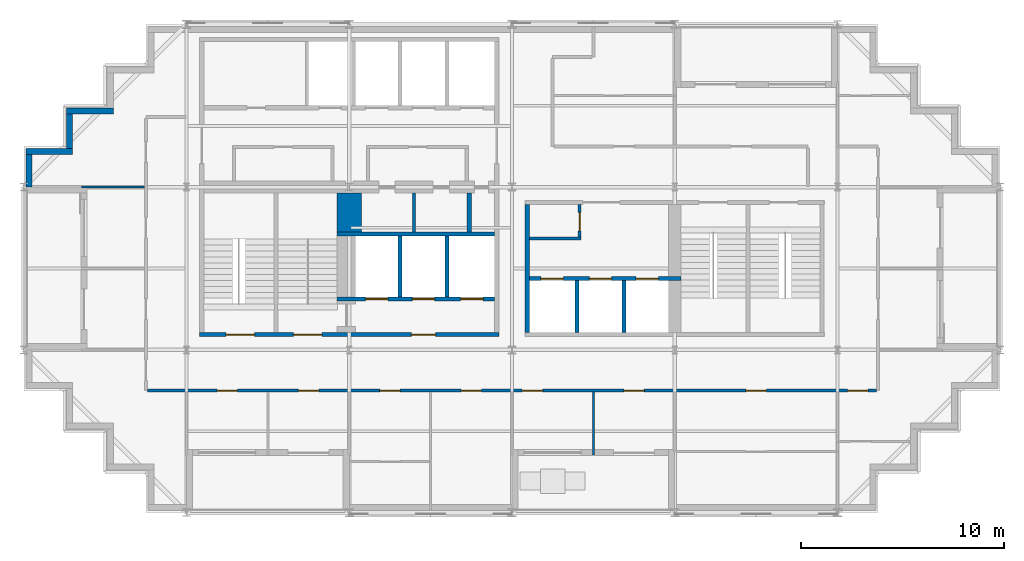
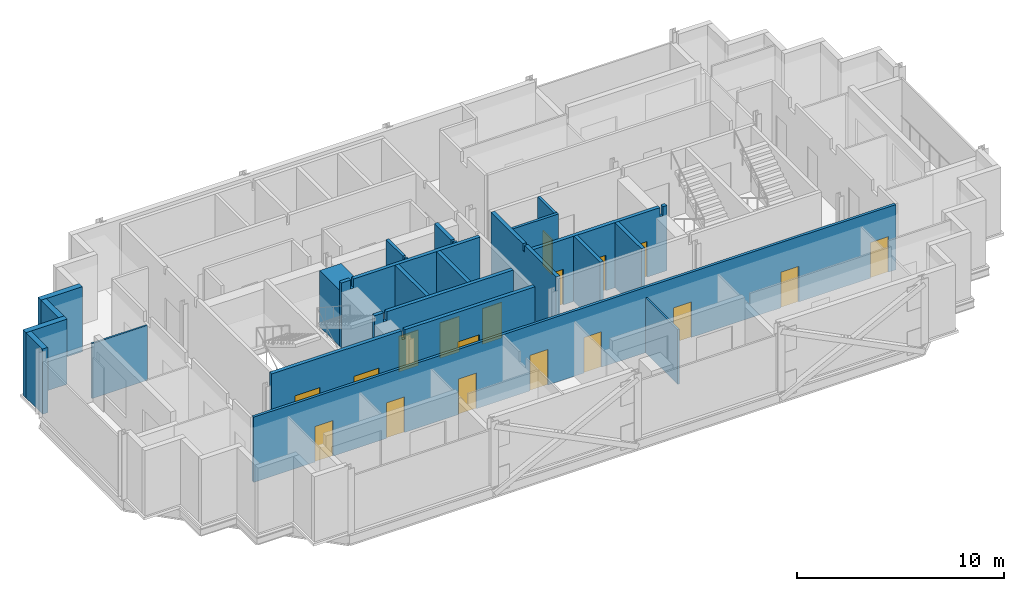
# One storey, part 5 of 10: 21 walls, 18 doors, 18 openings.
"""IFC4 building model written with IfcOpenShell, lengths in metres."""

from ifc_helpers import new_model, si_unit, direction, frame, frame_2d, origin, place, context, subcontext, project, spatial, polyline, rectangle, outline, extrude, material, layer, layer_set, type_object, element, fill, save


model = new_model("IFC4")

# Units and contexts
model_context = context("Model", 3, precision=1e-05, world=origin(), true_north=direction((0.0, 1.0)))
body_context = subcontext(model_context, "Body", "Model", "MODEL_VIEW")
ifc_project = project(units=[si_unit("LENGTHUNIT", "METRE"), si_unit("AREAUNIT", "SQUARE_METRE"), si_unit("VOLUMEUNIT", "CUBIC_METRE"), si_unit("PLANEANGLEUNIT", "RADIAN"), si_unit("MASSUNIT", "GRAM", prefix="KILO")], contexts=[model_context])

# Site, building, storey
site_placement = place(None, origin())
site = spatial("IfcSite", under=ifc_project, at=site_placement, CompositionType="ELEMENT")
building_placement = place(site_placement, origin())
building = spatial("IfcBuilding", under=site, at=building_placement, Name="Immortelle Media Tower", CompositionType="ELEMENT")
storey_placement = place(building_placement, frame((0.0, 0.0, 283.0)))
storey = spatial("IfcBuildingStorey", under=building, at=storey_placement, Name="L62", CompositionType="ELEMENT", Elevation=283.0)

# Walls
ifc_material_1 = material(Name="Fire-rated gypsum board", Category="gypsum")
ifc_layer_1 = layer(ifc_material_1, 0.02490234375)
ifc_material_2 = material(Name="Steel ASTM A653 SS Gr 50 stud frame with mineral wool", Category="steel")
ifc_layer_2 = layer(ifc_material_2, 0.10009765625)
ifc_layer_3 = layer(ifc_material_1, 0.02490234375)
ifc_layer_set_1 = layer_set([ifc_layer_1, ifc_layer_2, ifc_layer_3], Name="Steel ASTM A653 SS Gr 50 stud frame with mineral wool")
wall_type_1 = type_object("IfcWallType", Name="Core partition 150", PredefinedType="PARTITIONING", material=ifc_layer_set_1)
wall_1_placement = place(storey_placement, frame((19.175048828125, 13.800048828125, 0.0), z_axis=(0.0, 0.0, 1.0), x_axis=(0.0, 1.0, 0.0)))
element("IfcWall", 1, at=wall_1_placement, inside=storey, type_object=wall_type_1, Name="Core partition SW", PredefinedType="PARTITIONING", context=body_context, shape_type="SweptSolid", body=[
    extrude(outline(polyline([(0.0, 0.0), (1.89990234375, 0.0), (1.89990234375, 3.85009765625), (0.27490234375, 3.85009765625), (0.27392578125, 3.43994140625), (0.1259765625, 3.43994140625), (0.125, 3.85009765625), (0.0, 3.85009765625), (0.0, 0.0)])), frame((0.0, 0.074951171875, 0.0), z_axis=(0.0, -1.0, 0.0), x_axis=(1.0, 0.0, 0.0)), (0.0, 0.0, 1.0), 0.14990234375),
])
wall_2_placement = place(storey_placement, frame((24.85009765625, 13.47509765625, 0.0), z_axis=(0.0, 0.0, 1.0), x_axis=(1.0, 0.0, 0.0)))
element("IfcWall", 2, at=wall_2_placement, inside=storey, type_object=wall_type_1, Name="Core partition SE", PredefinedType="PARTITIONING", context=body_context, shape_type="SweptSolid", body=[
    extrude(rectangle(XDim=2.5498046875, YDim=0.14990234375, at=frame_2d((1.27490234375, 0.0))), origin(), (0.0, 0.0, 1.0), 3.85009765625),
])

# Wall, opening, door
wall_3_placement = place(storey_placement, frame((27.324951171875, 13.550048828125, 0.0), z_axis=(0.0, 0.0, 1.0), x_axis=(0.0, 1.0, 0.0)))
wall_3 = element("IfcWall", 3, at=wall_3_placement, inside=storey, type_object=wall_type_1, Name="Core partition SE", PredefinedType="PARTITIONING", context=body_context, shape_type="SweptSolid", body=[
    extrude(rectangle(XDim=1.599853515625, YDim=0.14990234375, at=frame_2d((0.7998046875, 0.0))), origin(), (0.0, 0.0, 1.0), 3.85009765625),
])
opening_1_placement = place(wall_3_placement, frame((0.300048828125, 0.0, 0.0)))
opening_1 = element("IfcOpeningElement", 4, at=opening_1_placement, cuts=wall_3, Name="Opening X5-K021", PredefinedType="OPENING", context=body_context, shape_type="SweptSolid", body=[
    extrude(rectangle(XDim=0.89990234375, YDim=2.10009765625, at=frame_2d((0.449951171875, 1.050048828125))), frame((0.0, 0.0849609375, 0.0), z_axis=(0.0, -1.0, 0.0), x_axis=(1.0, 0.0, 0.0)), (0.0, 0.0, 1.0), 0.169921875),
])
ifc_material_3 = material(Name="Galvanised steel door leaf and frame ASTM A653", Category="steel")
door_type_1 = type_object("IfcDoorType", Name="Service door 900 x 2100", OperationType="NOTDEFINED", PredefinedType="NOTDEFINED", material=ifc_material_3)
door_1_placement = place(opening_1_placement, origin())
door_1 = element("IfcDoor", 5, at=door_1_placement, inside=storey, type_object=door_type_1, Name="Service X5-K021", OperationType="SINGLE_SWING_RIGHT", OverallHeight=2.10009765625, OverallWidth=0.89990234375, PredefinedType="NOTDEFINED", context=body_context, shape_type="SweptSolid", body=[
    extrude(rectangle(XDim=0.89990234375, YDim=2.10009765625, at=frame_2d((0.449951171875, 1.050048828125))), frame((0.0, 0.02490234375, 0.0), z_axis=(0.0, -1.0, 0.0), x_axis=(1.0, 0.0, 0.0)), (0.0, 0.0, 1.0), 0.050048828125),
])
fill(opening_1, door_1)

# Wall, openings, doors
ifc_layer_4 = layer(ifc_material_1, 0.03759765625)
ifc_layer_5 = layer(ifc_material_2, 0.125)
ifc_layer_6 = layer(ifc_material_1, 0.03759765625)
ifc_layer_set_2 = layer_set([ifc_layer_4, ifc_layer_5, ifc_layer_6], Name="Steel ASTM A653 SS Gr 50 stud frame with mineral wool")
wall_type_2 = type_object("IfcWallType", Name="Core shaft wall 200", PredefinedType="PARTITIONING", material=ifc_layer_set_2)
wall_4_placement = place(storey_placement, frame((15.39990234375, 10.5, 0.0), z_axis=(0.0, 0.0, 1.0), x_axis=(1.0, 0.0, 0.0)))
wall_4 = element("IfcWall", 6, at=wall_4_placement, inside=storey, type_object=wall_type_2, Name="Core shaft wall SW", PredefinedType="PARTITIONING", context=body_context, shape_type="SweptSolid", body=[
    extrude(outline(polyline([(0.0, 0.0), (7.75, 0.0), (7.75, 3.85009765625), (0.6875, 3.85009765625), (0.6865234375, 3.318115234375), (0.513427734375, 3.318115234375), (0.512451171875, 3.85009765625), (0.0, 3.85009765625), (0.0, 0.0)])), frame((0.0, 0.10009765625, 0.0), z_axis=(0.0, -1.0, 0.0), x_axis=(1.0, 0.0, 0.0)), (0.0, 0.0, 1.0), 0.199951171875),
])
opening_2_placement = place(wall_4_placement, frame((1.39990234375, 0.0, 0.0)))
opening_2 = element("IfcOpeningElement", 7, at=opening_2_placement, cuts=wall_4, Name="Opening LD", PredefinedType="OPENING", context=body_context, shape_type="SweptSolid", body=[
    extrude(rectangle(XDim=1.10009765625, YDim=2.10009765625, at=frame_2d((0.550048828125, 1.050048828125))), frame((0.0, 0.10986328125, 0.0), z_axis=(0.0, -1.0, 0.0), x_axis=(1.0, 0.0, 0.0)), (0.0, 0.0, 1.0), 0.219970703125),
])
opening_3_placement = place(wall_4_placement, frame((3.699951171875, 0.0, 0.0)))
opening_3 = element("IfcOpeningElement", 8, at=opening_3_placement, cuts=wall_4, Name="Opening LD", PredefinedType="OPENING", context=body_context, shape_type="SweptSolid", body=[
    extrude(rectangle(XDim=1.10009765625, YDim=2.10009765625, at=frame_2d((0.550048828125, 1.050048828125))), frame((0.0, 0.10986328125, 0.0), z_axis=(0.0, -1.0, 0.0), x_axis=(1.0, 0.0, 0.0)), (0.0, 0.0, 1.0), 0.219970703125),
])
opening_4_placement = place(wall_4_placement, frame((6.074951171875, 0.0, 0.0)))
opening_4 = element("IfcOpeningElement", 9, at=opening_4_placement, cuts=wall_4, Name="Opening LD", PredefinedType="OPENING", context=body_context, shape_type="SweptSolid", body=[
    extrude(rectangle(XDim=1.10009765625, YDim=2.10009765625, at=frame_2d((0.550048828125, 1.050048828125))), frame((0.0, 0.10986328125, 0.0), z_axis=(0.0, -1.0, 0.0), x_axis=(1.0, 0.0, 0.0)), (0.0, 0.0, 1.0), 0.219970703125),
])
ifc_material_4 = material(Name="Stainless steel AISI 304", Category="steel")
door_type_2 = type_object("IfcDoorType", Name="Landing door 1100 x 2100", OperationType="SLIDING_TO_LEFT", PredefinedType="NOTDEFINED", material=ifc_material_4)
door_2_placement = place(opening_2_placement, origin())
door_2 = element("IfcDoor", 10, at=door_2_placement, inside=storey, type_object=door_type_2, Name="Landing door FF1 L62", OperationType="SLIDING_TO_LEFT", OverallHeight=2.10009765625, OverallWidth=1.10009765625, PredefinedType="NOTDEFINED", context=body_context, shape_type="SweptSolid", body=[
    extrude(rectangle(XDim=1.10009765625, YDim=2.10009765625, at=frame_2d((0.550048828125, 1.050048828125))), frame((0.0, 0.02490234375, 0.0), z_axis=(0.0, -1.0, 0.0), x_axis=(1.0, 0.0, 0.0)), (0.0, 0.0, 1.0), 0.050048828125),
])
fill(opening_2, door_2)
door_3_placement = place(opening_3_placement, origin())
door_3 = element("IfcDoor", 11, at=door_3_placement, inside=storey, type_object=door_type_2, Name="Landing door FF2 L62", OperationType="SLIDING_TO_LEFT", OverallHeight=2.10009765625, OverallWidth=1.10009765625, PredefinedType="NOTDEFINED", context=body_context, shape_type="SweptSolid", body=[
    extrude(rectangle(XDim=1.10009765625, YDim=2.10009765625, at=frame_2d((0.550048828125, 1.050048828125))), frame((0.0, 0.02490234375, 0.0), z_axis=(0.0, -1.0, 0.0), x_axis=(1.0, 0.0, 0.0)), (0.0, 0.0, 1.0), 0.050048828125),
])
fill(opening_3, door_3)
door_4_placement = place(opening_4_placement, origin())
door_4 = element("IfcDoor", 12, at=door_4_placement, inside=storey, type_object=door_type_2, Name="Landing door FF3 L62", OperationType="SLIDING_TO_LEFT", OverallHeight=2.10009765625, OverallWidth=1.10009765625, PredefinedType="NOTDEFINED", context=body_context, shape_type="SweptSolid", body=[
    extrude(rectangle(XDim=1.10009765625, YDim=2.10009765625, at=frame_2d((0.550048828125, 1.050048828125))), frame((0.0, 0.02490234375, 0.0), z_axis=(0.0, -1.0, 0.0), x_axis=(1.0, 0.0, 0.0)), (0.0, 0.0, 1.0), 0.050048828125),
])
fill(opening_4, door_4)

# Walls
wall_5_placement = place(storey_placement, frame((15.39990234375, 13.699951171875, 0.0), z_axis=(0.0, 0.0, 1.0), x_axis=(1.0, 0.0, 0.0)))
element("IfcWall", 13, at=wall_5_placement, inside=storey, type_object=wall_type_2, Name="Core shaft wall SW", PredefinedType="PARTITIONING", context=body_context, shape_type="SweptSolid", body=[
    extrude(outline(polyline([(0.0, 0.0), (7.75, 0.0), (7.75, 3.85009765625), (0.6875, 3.85009765625), (0.6865234375, 3.318115234375), (0.513427734375, 3.318115234375), (0.512451171875, 3.85009765625), (0.0, 3.85009765625), (0.0, 0.0)])), frame((0.0, 0.10009765625, 0.0), z_axis=(0.0, -1.0, 0.0), x_axis=(1.0, 0.0, 0.0)), (0.0, 0.0, 1.0), 0.199951171875),
])
for number, where, z_axis, x_axis, name in (
    (14, (18.5, 10.60009765625, 0.0), (0.0, 0.0, 1.0), (0.0, 1.0, 0.0), "Core shaft wall SW"),
    (15, (20.800048828125, 10.60009765625, 0.0), (0.0, 0.0, 1.0), (0.0, 1.0, 0.0), "Core shaft wall SW"),
):
    element("IfcWall", number, at=place(storey_placement, frame(where, z_axis=z_axis, x_axis=x_axis)), inside=storey, type_object=wall_type_2, Name=name, PredefinedType="PARTITIONING", context=body_context, shape_type="SweptSolid", body=[
        extrude(rectangle(XDim=3.0, YDim=0.199951171875, at=frame_2d((1.5, 0.0))), origin(), (0.0, 0.0, 1.0), 3.85009765625),
    ])
wall_6_placement = place(storey_placement, frame((21.89990234375, 13.800048828125, 0.0), z_axis=(0.0, 0.0, 1.0), x_axis=(0.0, 1.0, 0.0)))
element("IfcWall", 16, at=wall_6_placement, inside=storey, type_object=wall_type_2, Name="Core shaft wall SW", PredefinedType="PARTITIONING", context=body_context, shape_type="SweptSolid", body=[
    extrude(outline(polyline([(0.0, 0.0), (1.89990234375, 0.0), (1.89990234375, 3.85009765625), (0.27490234375, 3.85009765625), (0.27392578125, 3.43994140625), (0.1259765625, 3.43994140625), (0.125, 3.85009765625), (0.0, 3.85009765625), (0.0, 0.0)])), frame((0.0, 0.10009765625, 0.0), z_axis=(0.0, -1.0, 0.0), x_axis=(1.0, 0.0, 0.0)), (0.0, 0.0, 1.0), 0.199951171875),
])
wall_7_placement = place(storey_placement, frame((24.75, 8.85009765625, 0.0), z_axis=(0.0, 0.0, 1.0), x_axis=(0.0, 1.0, 0.0)))
element("IfcWall", 17, at=wall_7_placement, inside=storey, type_object=wall_type_2, Name="Core shaft wall SE", PredefinedType="PARTITIONING", context=body_context, shape_type="SweptSolid", body=[
    extrude(outline(polyline([(0.0, 0.0), (6.2998046875, 0.0), (6.300048828125, 3.85009765625), (3.22509765625, 3.85009765625), (3.22412109375, 3.43994140625), (3.075927734375, 3.43994140625), (3.074951171875, 3.85009765625), (0.0, 3.85009765625), (0.0, 0.0)])), frame((0.0, 0.10009765625, 0.0), z_axis=(0.0, -1.0, 0.0), x_axis=(1.0, 0.0, 0.0)), (0.0, 0.0, 1.0), 0.199951171875),
])

# Wall, openings, doors
wall_8_placement = place(storey_placement, frame((24.85009765625, 11.5, 0.0), z_axis=(0.0, 0.0, 1.0), x_axis=(1.0, 0.0, 0.0)))
wall_8 = element("IfcWall", 18, at=wall_8_placement, inside=storey, type_object=wall_type_2, Name="Core shaft wall SE", PredefinedType="PARTITIONING", context=body_context, shape_type="SweptSolid", body=[
    extrude(outline(polyline([(0.0, 0.0), (7.449951171875, 0.0), (7.449951171875, 3.85009765625), (7.237548828125, 3.85009765625), (7.236572265625, 3.318115234375), (7.0634765625, 3.318115234375), (7.0625, 3.85009765625), (0.0, 3.85009765625), (0.0, 0.0)])), frame((0.0, 0.10009765625, 0.0), z_axis=(0.0, -1.0, 0.0), x_axis=(1.0, 0.0, 0.0)), (0.0, 0.0, 1.0), 0.199951171875),
])
opening_5_placement = place(wall_8_placement, frame((0.574951171875, 0.0, 0.0)))
opening_5 = element("IfcOpeningElement", 19, at=opening_5_placement, cuts=wall_8, Name="Opening LD", PredefinedType="OPENING", context=body_context, shape_type="SweptSolid", body=[
    extrude(rectangle(XDim=1.10009765625, YDim=2.10009765625, at=frame_2d((0.550048828125, 1.050048828125))), frame((0.0, 0.10986328125, 0.0), z_axis=(0.0, -1.0, 0.0), x_axis=(1.0, 0.0, 0.0)), (0.0, 0.0, 1.0), 0.219970703125),
])
opening_6_placement = place(wall_8_placement, frame((2.949951171875, 0.0, 0.0)))
opening_6 = element("IfcOpeningElement", 20, at=opening_6_placement, cuts=wall_8, Name="Opening LD", PredefinedType="OPENING", context=body_context, shape_type="SweptSolid", body=[
    extrude(rectangle(XDim=1.10009765625, YDim=2.10009765625, at=frame_2d((0.550048828125, 1.050048828125))), frame((0.0, 0.10986328125, 0.0), z_axis=(0.0, -1.0, 0.0), x_axis=(1.0, 0.0, 0.0)), (0.0, 0.0, 1.0), 0.219970703125),
])
opening_7_placement = place(wall_8_placement, frame((5.25, 0.0, 0.0)))
opening_7 = element("IfcOpeningElement", 21, at=opening_7_placement, cuts=wall_8, Name="Opening LD", PredefinedType="OPENING", context=body_context, shape_type="SweptSolid", body=[
    extrude(rectangle(XDim=1.10009765625, YDim=2.10009765625, at=frame_2d((0.550048828125, 1.050048828125))), frame((0.0, 0.10986328125, 0.0), z_axis=(0.0, -1.0, 0.0), x_axis=(1.0, 0.0, 0.0)), (0.0, 0.0, 1.0), 0.219970703125),
])
door_5_placement = place(opening_5_placement, origin())
door_5 = element("IfcDoor", 22, at=door_5_placement, inside=storey, type_object=door_type_2, Name="Landing door HS1 L62", OperationType="SLIDING_TO_LEFT", OverallHeight=2.10009765625, OverallWidth=1.10009765625, PredefinedType="NOTDEFINED", context=body_context, shape_type="SweptSolid", body=[
    extrude(rectangle(XDim=1.10009765625, YDim=2.10009765625, at=frame_2d((0.550048828125, 1.050048828125))), frame((0.0, 0.02490234375, 0.0), z_axis=(0.0, -1.0, 0.0), x_axis=(1.0, 0.0, 0.0)), (0.0, 0.0, 1.0), 0.050048828125),
])
fill(opening_5, door_5)
door_6_placement = place(opening_6_placement, origin())
door_6 = element("IfcDoor", 23, at=door_6_placement, inside=storey, type_object=door_type_2, Name="Landing door HS2 L62", OperationType="SLIDING_TO_LEFT", OverallHeight=2.10009765625, OverallWidth=1.10009765625, PredefinedType="NOTDEFINED", context=body_context, shape_type="SweptSolid", body=[
    extrude(rectangle(XDim=1.10009765625, YDim=2.10009765625, at=frame_2d((0.550048828125, 1.050048828125))), frame((0.0, 0.02490234375, 0.0), z_axis=(0.0, -1.0, 0.0), x_axis=(1.0, 0.0, 0.0)), (0.0, 0.0, 1.0), 0.050048828125),
])
fill(opening_6, door_6)
door_7_placement = place(opening_7_placement, origin())
door_7 = element("IfcDoor", 24, at=door_7_placement, inside=storey, type_object=door_type_2, Name="Landing door HS3 L62", OperationType="SLIDING_TO_LEFT", OverallHeight=2.10009765625, OverallWidth=1.10009765625, PredefinedType="NOTDEFINED", context=body_context, shape_type="SweptSolid", body=[
    extrude(rectangle(XDim=1.10009765625, YDim=2.10009765625, at=frame_2d((0.550048828125, 1.050048828125))), frame((0.0, 0.02490234375, 0.0), z_axis=(0.0, -1.0, 0.0), x_axis=(1.0, 0.0, 0.0)), (0.0, 0.0, 1.0), 0.050048828125),
])
fill(opening_7, door_7)

# Walls
for number, where, z_axis, x_axis, name in (
    (25, (27.199951171875, 8.85009765625, 0.0), (0.0, 0.0, 1.0), (0.0, 1.0, 0.0), "Core shaft wall SE"),
    (26, (29.5, 8.85009765625, 0.0), (0.0, 0.0, 1.0), (0.0, 1.0, 0.0), "Core shaft wall SE"),
):
    element("IfcWall", number, at=place(storey_placement, frame(where, z_axis=z_axis, x_axis=x_axis)), inside=storey, type_object=wall_type_2, Name=name, PredefinedType="PARTITIONING", context=body_context, shape_type="SweptSolid", body=[
        extrude(rectangle(XDim=2.5498046875, YDim=0.199951171875, at=frame_2d((1.27490234375, 0.0))), origin(), (0.0, 0.0, 1.0), 3.85009765625),
    ])

# Wall, openings, doors
ifc_layer_7 = layer(ifc_material_1, 0.012451171875)
ifc_layer_8 = layer(ifc_material_2, 0.125)
ifc_layer_9 = layer(ifc_material_1, 0.012451171875)
ifc_layer_set_3 = layer_set([ifc_layer_7, ifc_layer_8, ifc_layer_9], Name="Steel ASTM A653 SS Gr 50 stud frame with mineral wool")
wall_type_3 = type_object("IfcWallType", Name="Corridor wall 150", PredefinedType="PARTITIONING", material=ifc_layer_set_3)
wall_9_placement = place(storey_placement, frame((6.074951171875, 6.0, 0.0), z_axis=(0.0, 0.0, 1.0), x_axis=(1.0, 0.0, 0.0)))
wall_9 = element("IfcWall", 27, at=wall_9_placement, inside=storey, type_object=wall_type_3, Name="Partition L62-015", PredefinedType="PARTITIONING", context=body_context, shape_type="SweptSolid", body=[
    extrude(rectangle(XDim=35.85009765625, YDim=0.14990234375, at=frame_2d((17.925048828125, 0.0))), origin(), (0.0, 0.0, 1.0), 3.85009765625),
])
opening_8_placement = place(wall_9_placement, frame((12.425048828125, 0.0, 0.0), z_axis=(0.0, 0.0, 1.0), x_axis=(-1.0, 0.0, 0.0)))
opening_8 = element("IfcOpeningElement", 28, at=opening_8_placement, cuts=wall_9, Name="Opening X5-F001", PredefinedType="OPENING", context=body_context, shape_type="SweptSolid", body=[
    extrude(rectangle(XDim=1.0, YDim=2.10009765625, at=frame_2d((0.5, 1.050048828125))), frame((0.0, 0.0849609375, 0.0), z_axis=(0.0, -1.0, 0.0), x_axis=(1.0, 0.0, 0.0)), (0.0, 0.0, 1.0), 0.169921875),
])
opening_9_placement = place(wall_9_placement, frame((16.425048828125, 0.0, 0.0), z_axis=(0.0, 0.0, 1.0), x_axis=(-1.0, 0.0, 0.0)))
opening_9 = element("IfcOpeningElement", 29, at=opening_9_placement, cuts=wall_9, Name="Opening X5-F003", PredefinedType="OPENING", context=body_context, shape_type="SweptSolid", body=[
    extrude(rectangle(XDim=1.0, YDim=2.10009765625, at=frame_2d((0.5, 1.050048828125))), frame((0.0, 0.0849609375, 0.0), z_axis=(0.0, -1.0, 0.0), x_axis=(1.0, 0.0, 0.0)), (0.0, 0.0, 1.0), 0.169921875),
])
opening_10_placement = place(wall_9_placement, frame((29.425048828125, 0.0, 0.0)))
opening_10 = element("IfcOpeningElement", 30, at=opening_10_placement, cuts=wall_9, Name="Opening X5-F004", PredefinedType="OPENING", context=body_context, shape_type="SweptSolid", body=[
    extrude(rectangle(XDim=1.0, YDim=2.10009765625, at=frame_2d((0.5, 1.050048828125))), frame((0.0, 0.0849609375, 0.0), z_axis=(0.0, -1.0, 0.0), x_axis=(1.0, 0.0, 0.0)), (0.0, 0.0, 1.0), 0.169921875),
])
opening_11_placement = place(wall_9_placement, frame((34.425048828125, 0.0, 0.0)))
opening_11 = element("IfcOpeningElement", 31, at=opening_11_placement, cuts=wall_9, Name="Opening X5-F006", PredefinedType="OPENING", context=body_context, shape_type="SweptSolid", body=[
    extrude(rectangle(XDim=1.0, YDim=2.10009765625, at=frame_2d((0.5, 1.050048828125))), frame((0.0, 0.0849609375, 0.0), z_axis=(0.0, -1.0, 0.0), x_axis=(1.0, 0.0, 0.0)), (0.0, 0.0, 1.0), 0.169921875),
])
opening_12_placement = place(wall_9_placement, frame((4.425048828125, 0.0, 0.0), z_axis=(0.0, 0.0, 1.0), x_axis=(-1.0, 0.0, 0.0)))
opening_12 = element("IfcOpeningElement", 32, at=opening_12_placement, cuts=wall_9, Name="Opening X5-F008", PredefinedType="OPENING", context=body_context, shape_type="SweptSolid", body=[
    extrude(rectangle(XDim=1.0, YDim=2.10009765625, at=frame_2d((0.5, 1.050048828125))), frame((0.0, 0.0849609375, 0.0), z_axis=(0.0, -1.0, 0.0), x_axis=(1.0, 0.0, 0.0)), (0.0, 0.0, 1.0), 0.169921875),
])
opening_13_placement = place(wall_9_placement, frame((8.425048828125, 0.0, 0.0), z_axis=(0.0, 0.0, 1.0), x_axis=(-1.0, 0.0, 0.0)))
opening_13 = element("IfcOpeningElement", 33, at=opening_13_placement, cuts=wall_9, Name="Opening X5-F009", PredefinedType="OPENING", context=body_context, shape_type="SweptSolid", body=[
    extrude(rectangle(XDim=1.0, YDim=2.10009765625, at=frame_2d((0.5, 1.050048828125))), frame((0.0, 0.0849609375, 0.0), z_axis=(0.0, -1.0, 0.0), x_axis=(1.0, 0.0, 0.0)), (0.0, 0.0, 1.0), 0.169921875),
])
opening_14_placement = place(wall_9_placement, frame((19.425048828125, 0.0, 0.0), z_axis=(0.0, 0.0, 1.0), x_axis=(-1.0, 0.0, 0.0)))
opening_14 = element("IfcOpeningElement", 34, at=opening_14_placement, cuts=wall_9, Name="Opening X5-F010", PredefinedType="OPENING", context=body_context, shape_type="SweptSolid", body=[
    extrude(rectangle(XDim=1.0, YDim=2.10009765625, at=frame_2d((0.5, 1.050048828125))), frame((0.0, 0.0849609375, 0.0), z_axis=(0.0, -1.0, 0.0), x_axis=(1.0, 0.0, 0.0)), (0.0, 0.0, 1.0), 0.169921875),
])
opening_15_placement = place(wall_9_placement, frame((24.425048828125, 0.0, 0.0), z_axis=(0.0, 0.0, 1.0), x_axis=(-1.0, 0.0, 0.0)))
opening_15 = element("IfcOpeningElement", 35, at=opening_15_placement, cuts=wall_9, Name="Opening X5-F011", PredefinedType="OPENING", context=body_context, shape_type="SweptSolid", body=[
    extrude(rectangle(XDim=1.0, YDim=2.10009765625, at=frame_2d((0.5, 1.050048828125))), frame((0.0, 0.0849609375, 0.0), z_axis=(0.0, -1.0, 0.0), x_axis=(1.0, 0.0, 0.0)), (0.0, 0.0, 1.0), 0.169921875),
])
ifc_material_5 = material(Name="Timber veneered door leaf, galvanised steel frame ASTM A653", Category="steel")
door_type_3 = type_object("IfcDoorType", Name="Room door 1000 x 2100", OperationType="NOTDEFINED", PredefinedType="DOOR", material=ifc_material_5)
door_8_placement = place(opening_8_placement, origin())
door_8 = element("IfcDoor", 36, at=door_8_placement, inside=storey, type_object=door_type_3, Name="Door X5-F001", OperationType="SINGLE_SWING_LEFT", OverallHeight=2.10009765625, OverallWidth=1.0, PredefinedType="DOOR", context=body_context, shape_type="SweptSolid", body=[
    extrude(rectangle(XDim=1.0, YDim=2.10009765625, at=frame_2d((0.5, 1.050048828125))), frame((0.0, 0.02490234375, 0.0), z_axis=(0.0, -1.0, 0.0), x_axis=(1.0, 0.0, 0.0)), (0.0, 0.0, 1.0), 0.050048828125),
])
fill(opening_8, door_8)
door_9_placement = place(opening_9_placement, origin())
door_9 = element("IfcDoor", 37, at=door_9_placement, inside=storey, type_object=door_type_3, Name="Door X5-F003", OperationType="SINGLE_SWING_LEFT", OverallHeight=2.10009765625, OverallWidth=1.0, PredefinedType="DOOR", context=body_context, shape_type="SweptSolid", body=[
    extrude(rectangle(XDim=1.0, YDim=2.10009765625, at=frame_2d((0.5, 1.050048828125))), frame((0.0, 0.02490234375, 0.0), z_axis=(0.0, -1.0, 0.0), x_axis=(1.0, 0.0, 0.0)), (0.0, 0.0, 1.0), 0.050048828125),
])
fill(opening_9, door_9)
door_10_placement = place(opening_10_placement, origin())
door_10 = element("IfcDoor", 38, at=door_10_placement, inside=storey, type_object=door_type_3, Name="Door X5-F004", OperationType="SINGLE_SWING_RIGHT", OverallHeight=2.10009765625, OverallWidth=1.0, PredefinedType="DOOR", context=body_context, shape_type="SweptSolid", body=[
    extrude(rectangle(XDim=1.0, YDim=2.10009765625, at=frame_2d((0.5, 1.050048828125))), frame((0.0, 0.02490234375, 0.0), z_axis=(0.0, -1.0, 0.0), x_axis=(1.0, 0.0, 0.0)), (0.0, 0.0, 1.0), 0.050048828125),
])
fill(opening_10, door_10)
door_11_placement = place(opening_11_placement, origin())
door_11 = element("IfcDoor", 39, at=door_11_placement, inside=storey, type_object=door_type_3, Name="Door X5-F006", OperationType="SINGLE_SWING_RIGHT", OverallHeight=2.10009765625, OverallWidth=1.0, PredefinedType="DOOR", context=body_context, shape_type="SweptSolid", body=[
    extrude(rectangle(XDim=1.0, YDim=2.10009765625, at=frame_2d((0.5, 1.050048828125))), frame((0.0, 0.02490234375, 0.0), z_axis=(0.0, -1.0, 0.0), x_axis=(1.0, 0.0, 0.0)), (0.0, 0.0, 1.0), 0.050048828125),
])
fill(opening_11, door_11)
door_12_placement = place(opening_12_placement, origin())
door_12 = element("IfcDoor", 40, at=door_12_placement, inside=storey, type_object=door_type_3, Name="Door X5-F008", OperationType="SINGLE_SWING_RIGHT", OverallHeight=2.10009765625, OverallWidth=1.0, PredefinedType="DOOR", context=body_context, shape_type="SweptSolid", body=[
    extrude(rectangle(XDim=1.0, YDim=2.10009765625, at=frame_2d((0.5, 1.050048828125))), frame((0.0, 0.02490234375, 0.0), z_axis=(0.0, -1.0, 0.0), x_axis=(1.0, 0.0, 0.0)), (0.0, 0.0, 1.0), 0.050048828125),
])
fill(opening_12, door_12)
door_13_placement = place(opening_13_placement, origin())
door_13 = element("IfcDoor", 41, at=door_13_placement, inside=storey, type_object=door_type_3, Name="Door X5-F009", OperationType="SINGLE_SWING_LEFT", OverallHeight=2.10009765625, OverallWidth=1.0, PredefinedType="DOOR", context=body_context, shape_type="SweptSolid", body=[
    extrude(rectangle(XDim=1.0, YDim=2.10009765625, at=frame_2d((0.5, 1.050048828125))), frame((0.0, 0.02490234375, 0.0), z_axis=(0.0, -1.0, 0.0), x_axis=(1.0, 0.0, 0.0)), (0.0, 0.0, 1.0), 0.050048828125),
])
fill(opening_13, door_13)
door_14_placement = place(opening_14_placement, origin())
door_14 = element("IfcDoor", 42, at=door_14_placement, inside=storey, type_object=door_type_3, Name="Door X5-F010", OperationType="SINGLE_SWING_RIGHT", OverallHeight=2.10009765625, OverallWidth=1.0, PredefinedType="DOOR", context=body_context, shape_type="SweptSolid", body=[
    extrude(rectangle(XDim=1.0, YDim=2.10009765625, at=frame_2d((0.5, 1.050048828125))), frame((0.0, 0.02490234375, 0.0), z_axis=(0.0, -1.0, 0.0), x_axis=(1.0, 0.0, 0.0)), (0.0, 0.0, 1.0), 0.050048828125),
])
fill(opening_14, door_14)
door_15_placement = place(opening_15_placement, origin())
door_15 = element("IfcDoor", 43, at=door_15_placement, inside=storey, type_object=door_type_3, Name="Door X5-F011", OperationType="SINGLE_SWING_LEFT", OverallHeight=2.10009765625, OverallWidth=1.0, PredefinedType="DOOR", context=body_context, shape_type="SweptSolid", body=[
    extrude(rectangle(XDim=1.0, YDim=2.10009765625, at=frame_2d((0.5, 1.050048828125))), frame((0.0, 0.02490234375, 0.0), z_axis=(0.0, -1.0, 0.0), x_axis=(1.0, 0.0, 0.0)), (0.0, 0.0, 1.0), 0.050048828125),
])
fill(opening_15, door_15)

# Walls
ifc_material_6 = material(Name="Pale aluminium cladding panel", Category="aluminium")
ifc_layer_10 = layer(ifc_material_6, 0.030029296875)
ifc_layer_11 = layer(ifc_material_2, 0.257568359375)
ifc_material_7 = material(Name="Moisture-resistant gypsum board", Category="gypsum")
ifc_layer_12 = layer(ifc_material_7, 0.012451171875)
ifc_layer_set_4 = layer_set([ifc_layer_10, ifc_layer_11, ifc_layer_12], Name="Steel ASTM A653 SS Gr 50 stud frame with mineral wool")
wall_type_4 = type_object("IfcWallType", Name="Facade wall 300", PredefinedType="SOLIDWALL", material=ifc_layer_set_4)
wall_10_placement = place(storey_placement, frame((4.39990234375, 19.75, 0.0), z_axis=(0.0, 0.0, 1.0), x_axis=(-1.0, 0.0, 0.0)))
element("IfcWall", 44, at=wall_10_placement, inside=storey, type_object=wall_type_4, Name="Facade wall L62 N24", PredefinedType="SOLIDWALL", context=body_context, shape_type="SweptSolid", body=[
    extrude(rectangle(XDim=2.2998046875, YDim=0.300048828125, at=frame_2d((1.14990234375, 0.0))), origin(), (0.0, 0.0, 1.0), 3.85009765625),
])
wall_11_placement = place(storey_placement, frame((2.25, 19.60009765625, 0.0), z_axis=(0.0, 0.0, 1.0), x_axis=(0.0, -1.0, 0.0)))
element("IfcWall", 45, at=wall_11_placement, inside=storey, type_object=wall_type_4, Name="Facade wall L62 W25", PredefinedType="SOLIDWALL", context=body_context, shape_type="SweptSolid", body=[
    extrude(rectangle(XDim=1.7001953125, YDim=0.300048828125, at=frame_2d((0.85009765625, 0.0))), origin(), (0.0, 0.0, 1.0), 3.85009765625),
])
wall_12_placement = place(storey_placement, frame((2.39990234375, 17.75, 0.0), z_axis=(0.0, 0.0, 1.0), x_axis=(-1.0, 0.0, 0.0)))
element("IfcWall", 46, at=wall_12_placement, inside=storey, type_object=wall_type_4, Name="Facade wall L62 N26", PredefinedType="SOLIDWALL", context=body_context, shape_type="SweptSolid", body=[
    extrude(rectangle(XDim=2.2998046875, YDim=0.300048828125, at=frame_2d((1.14990234375, 0.0))), origin(), (0.0, 0.0, 1.0), 3.85009765625),
])
wall_13_placement = place(storey_placement, frame((0.25, 17.60009765625, 0.0), z_axis=(0.0, 0.0, 1.0), x_axis=(0.0, -1.0, 0.0)))
element("IfcWall", 47, at=wall_13_placement, inside=storey, type_object=wall_type_4, Name="Facade wall L62 W27", PredefinedType="SOLIDWALL", context=body_context, shape_type="SweptSolid", body=[
    extrude(rectangle(XDim=1.60009765625, YDim=0.300048828125, at=frame_2d((0.800048828125, 0.0))), origin(), (0.0, 0.0, 1.0), 3.85009765625),
])
ifc_material_8 = material(Name="Gypsum board", Category="gypsum")
ifc_layer_13 = layer(ifc_material_8, 0.012451171875)
ifc_layer_14 = layer(ifc_material_2, 0.074951171875)
ifc_layer_15 = layer(ifc_material_8, 0.012451171875)
ifc_layer_set_5 = layer_set([ifc_layer_13, ifc_layer_14, ifc_layer_15], Name="Steel ASTM A653 SS Gr 50 stud frame with mineral wool")
wall_type_5 = type_object("IfcWallType", Name="Partition 100", PredefinedType="PARTITIONING", material=ifc_layer_set_5)
for number, where, z_axis, x_axis, name in (
    (48, (28.0, 2.830078125, 0.0), (0.0, 0.0, 1.0), (0.0, 1.0, 0.0), "Partition L62-009"),
    (49, (2.830078125, 16.0, 0.0), (0.0, 0.0, 1.0), (1.0, 0.0, 0.0), "Partition L62-022"),
):
    element("IfcWall", number, at=place(storey_placement, frame(where, z_axis=z_axis, x_axis=x_axis)), inside=storey, type_object=wall_type_5, Name=name, PredefinedType="PARTITIONING", context=body_context, shape_type="SweptSolid", body=[
        extrude(rectangle(XDim=3.094970703125, YDim=0.10009765625, at=frame_2d((1.54736328125, 0.0))), origin(), (0.0, 0.0, 1.0), 3.238037109375),
    ])
ifc_material_9 = material(Name="Concrete C60", Category="concrete")
ifc_layer_16 = layer(ifc_material_9, 1.199951171875)
ifc_layer_set_6 = layer_set([ifc_layer_16], Name="Concrete C60")
wall_type_6 = type_object("IfcWallType", Name="Stair shaft wall 1200", PredefinedType="PARTITIONING", material=ifc_layer_set_6)
wall_14_placement = place(storey_placement, frame((16.0, 13.800048828125, 0.0), z_axis=(0.0, 0.0, 1.0), x_axis=(0.0, 1.0, 0.0)))
element("IfcWall", 50, at=wall_14_placement, inside=storey, type_object=wall_type_6, Name="Stair shaft wall SW", PredefinedType="PARTITIONING", context=body_context, shape_type="SweptSolid", body=[
    extrude(rectangle(XDim=1.89990234375, YDim=1.199951171875, at=frame_2d((0.949951171875, 0.0))), origin(), (0.0, 0.0, 1.0), 3.318115234375),
])

# Wall, openings, doors
ifc_layer_17 = layer(ifc_material_9, 0.199951171875)
ifc_layer_set_7 = layer_set([ifc_layer_17], Name="Concrete C60")
wall_type_7 = type_object("IfcWallType", Name="Stair shaft wall 200", PredefinedType="PARTITIONING", material=ifc_layer_set_7)
wall_15_placement = place(storey_placement, frame((8.64990234375, 8.75, 0.0), z_axis=(0.0, 0.0, 1.0), x_axis=(1.0, 0.0, 0.0)))
wall_15 = element("IfcWall", 51, at=wall_15_placement, inside=storey, type_object=wall_type_7, Name="Stair shaft wall SW", PredefinedType="PARTITIONING", context=body_context, shape_type="SweptSolid", body=[
    extrude(outline(polyline([(0.0, 0.0), (14.7001953125, 0.0), (14.699951171875, 3.85009765625), (7.4375, 3.85009765625), (7.4365234375, 3.318115234375), (7.263427734375, 3.318115234375), (7.262451171875, 3.85009765625), (0.0, 3.85009765625), (0.0, 0.0)])), frame((0.0, 0.10009765625, 0.0), z_axis=(0.0, -1.0, 0.0), x_axis=(1.0, 0.0, 0.0)), (0.0, 0.0, 1.0), 0.199951171875),
])
opening_16_placement = place(wall_15_placement, frame((1.300048828125, 0.0, 0.0)))
opening_16 = element("IfcOpeningElement", 52, at=opening_16_placement, cuts=wall_15, Name="Opening X5-K002", PredefinedType="OPENING", context=body_context, shape_type="SweptSolid", body=[
    extrude(rectangle(XDim=1.39990234375, YDim=2.10009765625, at=frame_2d((0.699951171875, 1.050048828125))), frame((0.0, 0.10986328125, 0.0), z_axis=(0.0, -1.0, 0.0), x_axis=(1.0, 0.0, 0.0)), (0.0, 0.0, 1.0), 0.219970703125),
])
opening_17_placement = place(wall_15_placement, frame((4.60009765625, 0.0, 0.0)))
opening_17 = element("IfcOpeningElement", 53, at=opening_17_placement, cuts=wall_15, Name="Opening X5-K005", PredefinedType="OPENING", context=body_context, shape_type="SweptSolid", body=[
    extrude(rectangle(XDim=1.39990234375, YDim=2.10009765625, at=frame_2d((0.699951171875, 1.050048828125))), frame((0.0, 0.10986328125, 0.0), z_axis=(0.0, -1.0, 0.0), x_axis=(1.0, 0.0, 0.0)), (0.0, 0.0, 1.0), 0.219970703125),
])
opening_18_placement = place(wall_15_placement, frame((10.39990234375, 0.0, 0.0)))
opening_18 = element("IfcOpeningElement", 54, at=opening_18_placement, cuts=wall_15, Name="Opening X5-K012", PredefinedType="OPENING", context=body_context, shape_type="SweptSolid", body=[
    extrude(rectangle(XDim=1.199951171875, YDim=2.10009765625, at=frame_2d((0.60009765625, 1.050048828125))), frame((0.0, 0.10986328125, 0.0), z_axis=(0.0, -1.0, 0.0), x_axis=(1.0, 0.0, 0.0)), (0.0, 0.0, 1.0), 0.219970703125),
])
door_type_4 = type_object("IfcDoorType", Name="Fire-fighting lobby door 1200 x 2100", OperationType="NOTDEFINED", PredefinedType="NOTDEFINED", material=ifc_material_3)
door_16_placement = place(opening_18_placement, origin())
door_16 = element("IfcDoor", 55, at=door_16_placement, inside=storey, type_object=door_type_4, Name="Fire-fighting lobby X5-K012", OperationType="SINGLE_SWING_LEFT", OverallHeight=2.10009765625, OverallWidth=1.199951171875, PredefinedType="NOTDEFINED", context=body_context, shape_type="SweptSolid", body=[
    extrude(rectangle(XDim=1.199951171875, YDim=2.10009765625, at=frame_2d((0.60009765625, 1.050048828125))), frame((0.0, 0.02490234375, 0.0), z_axis=(0.0, -1.0, 0.0), x_axis=(1.0, 0.0, 0.0)), (0.0, 0.0, 1.0), 0.050048828125),
])
fill(opening_18, door_16)
door_type_5 = type_object("IfcDoorType", Name="Stair door 1400 x 2100", OperationType="DOUBLE_DOOR_SINGLE_SWING", PredefinedType="NOTDEFINED", material=ifc_material_3)
door_17_placement = place(opening_16_placement, origin())
door_17 = element("IfcDoor", 56, at=door_17_placement, inside=storey, type_object=door_type_5, Name="Stair X5-K002", OperationType="DOUBLE_DOOR_SINGLE_SWING", OverallHeight=2.10009765625, OverallWidth=1.39990234375, PredefinedType="NOTDEFINED", context=body_context, shape_type="SweptSolid", body=[
    extrude(rectangle(XDim=1.39990234375, YDim=2.10009765625, at=frame_2d((0.699951171875, 1.050048828125))), frame((0.0, 0.02490234375, 0.0), z_axis=(0.0, -1.0, 0.0), x_axis=(1.0, 0.0, 0.0)), (0.0, 0.0, 1.0), 0.050048828125),
])
fill(opening_16, door_17)
door_18_placement = place(opening_17_placement, origin())
door_18 = element("IfcDoor", 57, at=door_18_placement, inside=storey, type_object=door_type_5, Name="Stair X5-K005", OperationType="DOUBLE_DOOR_SINGLE_SWING", OverallHeight=2.10009765625, OverallWidth=1.39990234375, PredefinedType="NOTDEFINED", context=body_context, shape_type="SweptSolid", body=[
    extrude(rectangle(XDim=1.39990234375, YDim=2.10009765625, at=frame_2d((0.699951171875, 1.050048828125))), frame((0.0, 0.02490234375, 0.0), z_axis=(0.0, -1.0, 0.0), x_axis=(1.0, 0.0, 0.0)), (0.0, 0.0, 1.0), 0.050048828125),
])
fill(opening_17, door_18)

save(model, "model.ifc")
